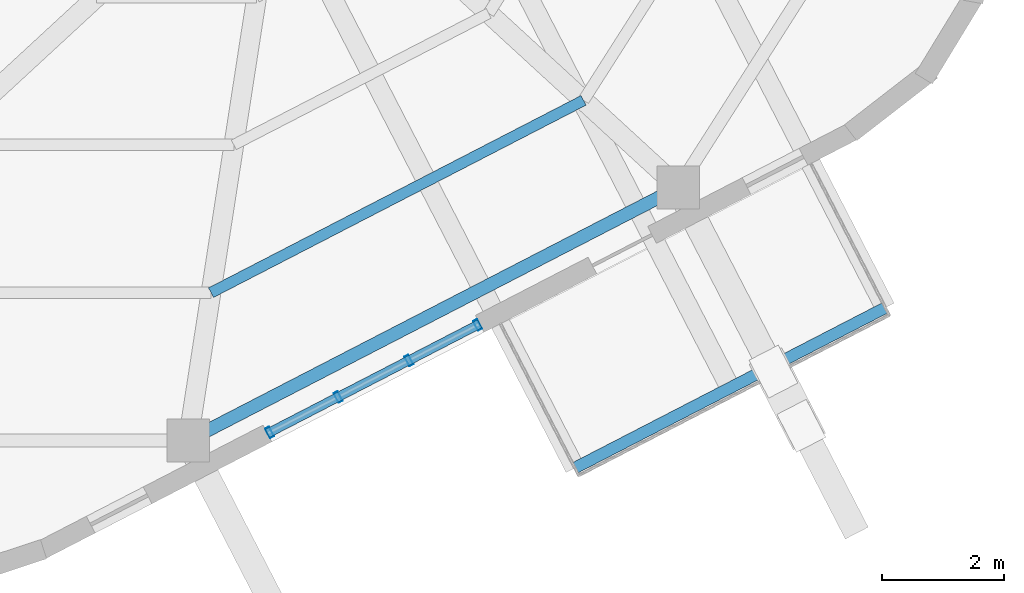
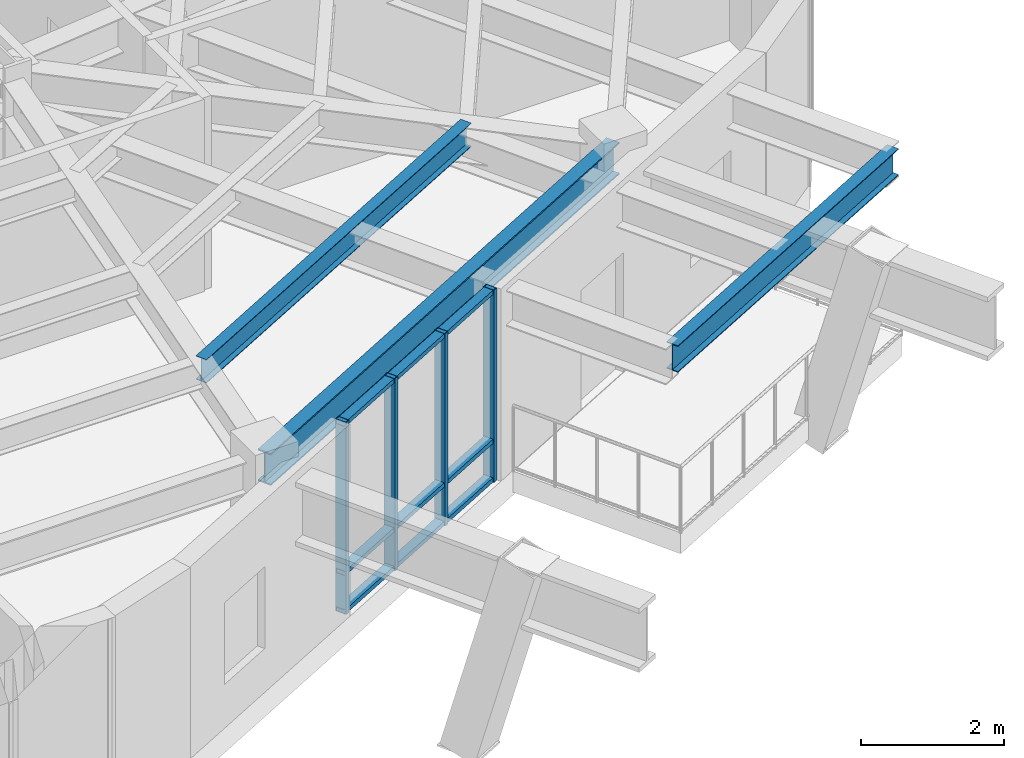
# One storey, part 2 of 9: 7 members, 3 beams, 1 element without a shape of its own.
"""IFC4 building model written with IfcOpenShell, lengths in metres."""

from ifc_helpers import new_model, si_unit, direction, frame, origin, origin_2d, place, context, subcontext, project, spatial, hollow_rectangle, i_section, extrude, material, layer, layer_set, material_profile, profile_set, type_object, element, aggregate, save


model = new_model("IFC4")

# Units and contexts
model_context = context("Model", 3, precision=1e-05, world=origin(), true_north=direction((0.0, 1.0)))
body_context = subcontext(model_context, "Body", "Model", "MODEL_VIEW")
ifc_project = project(units=[si_unit("LENGTHUNIT", "METRE"), si_unit("AREAUNIT", "SQUARE_METRE"), si_unit("VOLUMEUNIT", "CUBIC_METRE"), si_unit("PLANEANGLEUNIT", "RADIAN"), si_unit("MASSUNIT", "GRAM", prefix="KILO"), si_unit("THERMODYNAMICTEMPERATUREUNIT", "KELVIN"), si_unit("POWERUNIT", "WATT")], contexts=[model_context])

# Site, building, storey
site_placement = place(None, origin())
site = spatial("IfcSite", under=ifc_project, at=site_placement, CompositionType="ELEMENT")
building_placement = place(site_placement, origin())
building = spatial("IfcBuilding", under=site, at=building_placement, Name="Skarre Station Tower", CompositionType="ELEMENT")
storey_placement = place(building_placement, frame((0.0, 0.0, 220.60009765625)))
storey = spatial("IfcBuildingStorey", under=building, at=storey_placement, Name="L60", CompositionType="ELEMENT", Elevation=220.60009765625)

# Curtain wall, members
ifc_material_1 = material(Name="Thermally Broken Bronze-Anodized Aluminium & Triple Low-E Glass", Category="aluminium")
ifc_layer = layer(ifc_material_1, 0.18994140625, Name="Thermally Broken Bronze-Anodized Aluminium & Triple Low-E Glass")
ifc_layer_set = layer_set([ifc_layer], Name="Thermally Broken Bronze-Anodized Aluminium & Triple Low-E Glass")
curtain_wall_type = type_object("IfcCurtainWallType", Name="Sky-Garden Setback Conservatory Curtain Wall", PredefinedType="NOTDEFINED", material=ifc_layer_set)
curtain_wall_placement = place(storey_placement, origin())
curtain_wall = element("IfcCurtainWall", 1, at=curtain_wall_placement, inside=storey, type_object=curtain_wall_type, Name="L60 Facet 4 Conservatory Curtain Wall", PredefinedType="NOTDEFINED")
ifc_material_2 = material(Name="Anodized Aluminium 6063-T6", Category="aluminium")
ifc_material_profile_1 = material_profile(ifc_material_2, hollow_rectangle(XDim=0.074951171875, YDim=0.14990234375, WallThickness=0.00390625, at=origin_2d()), Name="Anodized Aluminium 6063-T6")
ifc_profile_set_1 = profile_set([ifc_material_profile_1], Name="Anodized Aluminium 6063-T6")
member_type_1 = type_object("IfcMemberType", Name="Curtain-Wall Secondary Transom 150x75", PredefinedType="USERDEFINED", material=ifc_profile_set_1)
member_1_placement = place(storey_placement, frame((42.6708984375, 10.465087890625, 0.039794921875), z_axis=(-0.888470771822, -0.458933206053, 0.0), x_axis=(0.0, 0.0, 1.0)))
member_1 = element("IfcMember", 2, at=member_1_placement, type_object=member_type_1, Name="L60 Facet 4 Conservatory Curtain Wall Transom 1", ObjectType="TRANSOM", PredefinedType="USERDEFINED", context=body_context, shape_type="SweptSolid", body=[
    extrude(hollow_rectangle(XDim=0.074951171875, YDim=0.14990234375, WallThickness=0.00390625, at=origin_2d()), origin(), (0.0, 0.0, 1.0), 3.920166015625),
])
member_2_placement = place(storey_placement, frame((42.6708984375, 10.465087890625, 0.699951171875), z_axis=(-0.888470771822, -0.458933206053, 0.0), x_axis=(0.0, 0.0, 1.0)))
member_2 = element("IfcMember", 3, at=member_2_placement, type_object=member_type_1, Name="L60 Facet 4 Conservatory Curtain Wall Transom 2", ObjectType="TRANSOM", PredefinedType="USERDEFINED", context=body_context, shape_type="SweptSolid", body=[
    extrude(hollow_rectangle(XDim=0.074951171875, YDim=0.14990234375, WallThickness=0.00390625, at=origin_2d()), origin(), (0.0, 0.0, 1.0), 3.920166015625),
])
member_3_placement = place(storey_placement, frame((42.6708984375, 10.465087890625, 3.25), z_axis=(-0.888470771822, -0.458933206053, 0.0), x_axis=(0.0, 0.0, 1.0)))
member_3 = element("IfcMember", 4, at=member_3_placement, type_object=member_type_1, Name="L60 Facet 4 Conservatory Curtain Wall Transom 3", ObjectType="TRANSOM", PredefinedType="USERDEFINED", context=body_context, shape_type="SweptSolid", body=[
    extrude(hollow_rectangle(XDim=0.074951171875, YDim=0.14990234375, WallThickness=0.00390625, at=origin_2d()), origin(), (0.0, 0.0, 1.0), 3.920166015625),
])
ifc_material_profile_2 = material_profile(ifc_material_2, hollow_rectangle(XDim=0.074951171875, YDim=0.179931640625, WallThickness=0.00390625, at=origin_2d()), Name="Anodized Aluminium 6063-T6")
ifc_profile_set_2 = profile_set([ifc_material_profile_2], Name="Anodized Aluminium 6063-T6")
member_type_2 = type_object("IfcMemberType", Name="Curtain-Wall Unitised Tower Mullion 180x75", PredefinedType="MULLION", material=ifc_profile_set_2)
member_4_placement = place(storey_placement, frame((42.635009765625, 10.447021484375, 0.0), z_axis=(0.0, 0.0, 1.0), x_axis=(-0.88848110948, -0.458913192332, 0.0)))
member_4 = element("IfcMember", 5, at=member_4_placement, type_object=member_type_2, Name="L60 Facet 4 Conservatory Curtain Wall Mullion 1", PredefinedType="MULLION", context=body_context, shape_type="SweptSolid", body=[
    extrude(hollow_rectangle(XDim=0.074951171875, YDim=0.179931640625, WallThickness=0.00390625, at=origin_2d()), origin(), (0.0, 0.0, 1.0), 3.289794921875),
])
member_5_placement = place(storey_placement, frame((41.510009765625, 9.864990234375, 0.0), z_axis=(0.0, 0.0, 1.0), x_axis=(-0.88848110948, -0.458913192332, 0.0)))
member_5 = element("IfcMember", 6, at=member_5_placement, type_object=member_type_2, Name="L60 Facet 4 Conservatory Curtain Wall Mullion 2", PredefinedType="MULLION", context=body_context, shape_type="SweptSolid", body=[
    extrude(hollow_rectangle(XDim=0.074951171875, YDim=0.179931640625, WallThickness=0.00390625, at=origin_2d()), origin(), (0.0, 0.0, 1.0), 3.289794921875),
])
member_6_placement = place(storey_placement, frame((40.34912109375, 9.26611328125, 0.0), z_axis=(0.0, 0.0, 1.0), x_axis=(-0.88848110948, -0.458913192332, 0.0)))
member_6 = element("IfcMember", 7, at=member_6_placement, type_object=member_type_2, Name="L60 Facet 4 Conservatory Curtain Wall Mullion 3", PredefinedType="MULLION", context=body_context, shape_type="SweptSolid", body=[
    extrude(hollow_rectangle(XDim=0.074951171875, YDim=0.179931640625, WallThickness=0.00390625, at=origin_2d()), origin(), (0.0, 0.0, 1.0), 3.289794921875),
])
member_7_placement = place(storey_placement, frame((39.22412109375, 8.68408203125, 0.0), z_axis=(0.0, 0.0, 1.0), x_axis=(-0.88848110948, -0.458913192332, 0.0)))
member_7 = element("IfcMember", 8, at=member_7_placement, type_object=member_type_2, Name="L60 Facet 4 Conservatory Curtain Wall Mullion 4", PredefinedType="MULLION", context=body_context, shape_type="SweptSolid", body=[
    extrude(hollow_rectangle(XDim=0.074951171875, YDim=0.179931640625, WallThickness=0.00390625, at=origin_2d()), origin(), (0.0, 0.0, 1.0), 3.289794921875),
])
aggregate(curtain_wall, [member_4, member_5, member_6, member_7, member_1, member_2, member_3])

# Beams
ifc_material_3 = material(Name="Steel ASTM A992 Grade 50", Category="steel")
ifc_material_profile_3 = material_profile(ifc_material_3, i_section(OverallWidth=0.177978515625, OverallDepth=0.403076171875, WebThickness=0.008056640625, FlangeThickness=0.010986328125, at=origin_2d()), Name="Steel ASTM A992 Grade 50")
ifc_profile_set_3 = profile_set([ifc_material_profile_3], Name="Steel ASTM A992 Grade 50")
beam_type_1 = type_object("IfcBeamType", Name="Steel Joist W16X36", PredefinedType="JOIST", material=ifc_profile_set_3)
beam_1_placement = place(storey_placement, frame((38.263916015625, 10.97607421875, 3.087890625), z_axis=(0.888578636, 0.458724326414, 0.0), x_axis=(-0.458724326414, 0.888578636, 0.0)))
element("IfcBeam", 9, at=beam_1_placement, inside=storey, type_object=beam_type_1, Name="L60 Auxiliary Composite Joist 17", PredefinedType="JOIST", context=body_context, shape_type="SweptSolid", body=[
    extrude(i_section(OverallWidth=0.177978515625, OverallDepth=0.403076171875, WebThickness=0.008056640625, FlangeThickness=0.010986328125, at=origin_2d()), origin(), (0.0, 0.0, 1.0), 6.875244140625),
])
ifc_material_profile_4 = material_profile(ifc_material_3, i_section(OverallWidth=0.19091796875, OverallDepth=0.45703125, WebThickness=0.009033203125, FlangeThickness=0.013916015625, at=origin_2d()), Name="Steel ASTM A992 Grade 50")
ifc_profile_set_4 = profile_set([ifc_material_profile_4], Name="Steel ASTM A992 Grade 50")
beam_type_2 = type_object("IfcBeamType", Name="Steel Joist W18X50", PredefinedType="JOIST", material=ifc_profile_set_4)
beam_2_placement = place(storey_placement, frame((49.322021484375, 10.72900390625, 2.955810546875), z_axis=(-0.888600487867, -0.458681995464, 0.0), x_axis=(0.458681995464, -0.888600487867, 0.0)))
element("IfcBeam", 10, at=beam_2_placement, inside=storey, type_object=beam_type_2, Name="L60 SG-3-L61 Rim Beam", PredefinedType="JOIST", context=body_context, shape_type="SweptSolid", body=[
    extrude(i_section(OverallWidth=0.19091796875, OverallDepth=0.45703125, WebThickness=0.009033203125, FlangeThickness=0.013916015625, at=origin_2d()), origin(), (0.0, 0.0, 1.0), 5.729248046875),
])
ifc_material_profile_5 = material_profile(ifc_material_3, i_section(OverallWidth=0.214111328125, OverallDepth=0.549072265625, WebThickness=0.014892578125, FlangeThickness=0.02392578125, at=origin_2d()), Name="Steel ASTM A992 Grade 50")
ifc_profile_set_5 = profile_set([ifc_material_profile_5], Name="Steel ASTM A992 Grade 50")
beam_type_3 = type_object("IfcBeamType", Name="Steel Spandrel W21X93", PredefinedType="SPANDREL", material=ifc_profile_set_5)
beam_3_placement = place(storey_placement, frame((37.888916015625, 8.552978515625, 3.014892578125), z_axis=(0.888610011727, 0.458663544505, 0.0), x_axis=(-0.458663544505, 0.888610011727, 0.0)))
element("IfcBeam", 11, at=beam_3_placement, inside=storey, type_object=beam_type_3, Name="L60 Facet Spandrel Beam 9", PredefinedType="SPANDREL", context=body_context, shape_type="SweptSolid", body=[
    extrude(i_section(OverallWidth=0.214111328125, OverallDepth=0.549072265625, WebThickness=0.014892578125, FlangeThickness=0.02392578125, at=origin_2d()), origin(), (0.0, 0.0, 1.0), 9.045654296875),
])

save(model, "model.ifc")
